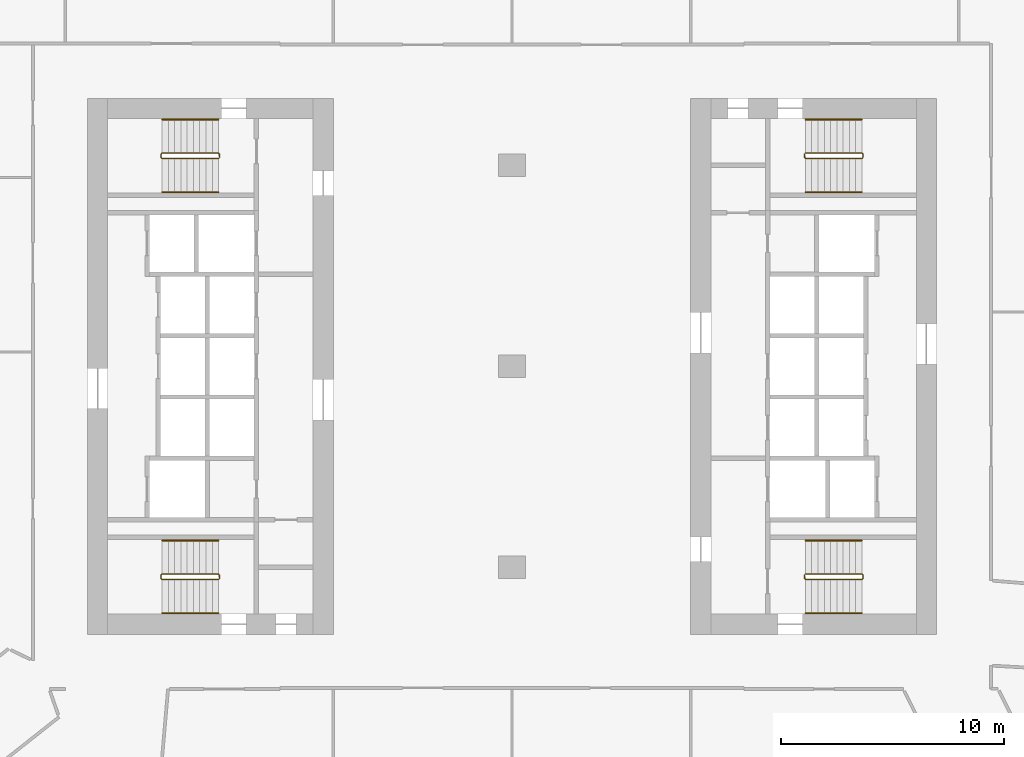
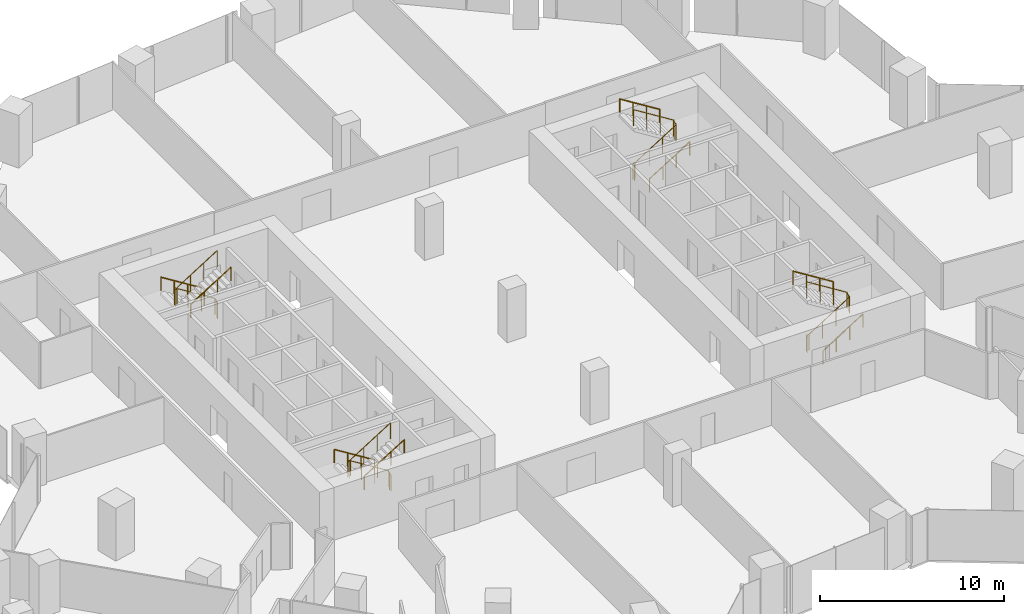
# One storey, part 34 of 34: 12 railings.
"""IFC4 building model written with IfcOpenShell, lengths in metres."""

import ifcopenshell
import ifcopenshell.guid

model = None  # the IFC model being written
_history = None  # IfcOwnerHistory: only IFC2X3 demands one
_inside = {}  # id of a spatial element -> (the spatial element, [elements in it])
_under = {}  # id of a project, library or spatial element -> (it, [spatial elements below it])
_declared = {}  # id of a project -> (the project, [libraries it declares])
_typed = {}  # id of a type object -> (the type object, [elements of that type])
_made_of = {}  # id of a material, layer set ... -> (it, [elements and type objects made of it])


def new_model(schema):
    """Start an empty IFC model of exactly this schema.

    Asked for "IFC4X3", IfcOpenShell would pick the latest addendum, in which some entities
    have other attributes; the version numbers below select the first issue.
    IFC2X3 requires an IfcOwnerHistory on every rooted entity: one is made here for all.
    """
    global model, _history
    if schema == "IFC4X3":
        model = ifcopenshell.file(schema_version=(4, 3, 0, 0))
    else:
        model = ifcopenshell.file(schema=schema)
    _inside.clear()
    _under.clear()
    _declared.clear()
    _typed.clear()
    _made_of.clear()
    _history = None
    if model.schema == "IFC2X3":
        org = make("IfcOrganization", Name="unknown")
        user = make(
            "IfcPersonAndOrganization",
            ThePerson=make("IfcPerson", FamilyName="unknown"),
            TheOrganization=org,
        )
        app = make(
            "IfcApplication",
            ApplicationDeveloper=org,
            Version="unknown",
            ApplicationFullName="unknown",
            ApplicationIdentifier="unknown",
        )
        _history = make(
            "IfcOwnerHistory",
            OwningUser=user,
            OwningApplication=app,
            ChangeAction="ADDED",
            CreationDate=0,
        )
    return model


def make(cls, **values):
    """One entity of the class cls with the attributes given. An attribute that is None is left unset."""
    return model.create_entity(
        cls, **{name: value for name, value in values.items() if value is not None}
    )


def rooted(cls, **values):
    """An entity with a GlobalId (a new one), such as an element, a storey or a relation."""
    return make(cls, GlobalId=ifcopenshell.guid.new(), OwnerHistory=_history, **values)


def si_unit(unit_type, name, prefix=None):
    """IfcSIUnit, for example si_unit("LENGTHUNIT", "METRE", prefix="MILLI")."""
    return make("IfcSIUnit", UnitType=unit_type, Prefix=prefix, Name=name)


def assignment(units):
    """IfcUnitAssignment: the units of a project."""
    return None if units is None else make("IfcUnitAssignment", Units=units)


def point(xyz):
    """IfcCartesianPoint."""
    return None if xyz is None else make("IfcCartesianPoint", Coordinates=xyz)


def direction(xyz):
    """IfcDirection."""
    return None if xyz is None else make("IfcDirection", DirectionRatios=xyz)


def frame(location, z_axis=None, x_axis=None):
    """IfcAxis2Placement3D, a coordinate frame: its origin and axes. An axis left out is left unset."""
    return make(
        "IfcAxis2Placement3D",
        Location=point(location),
        Axis=direction(z_axis),
        RefDirection=direction(x_axis),
    )


def frame_2d(location, x_axis=None):
    """IfcAxis2Placement2D, a coordinate frame in the plane: its origin and x axis."""
    return make(
        "IfcAxis2Placement2D", Location=point(location), RefDirection=direction(x_axis)
    )


def origin():
    """The frame at (0, 0, 0) with its axes left unset."""
    return frame((0.0, 0.0, 0.0))


def origin_2d():
    """The frame at (0, 0) in the plane with its x axis left unset."""
    return frame_2d((0.0, 0.0))


def place(relative_to, where):
    """IfcLocalPlacement: puts the frame where relative to a parent placement (None: the world)."""
    return make(
        "IfcLocalPlacement", PlacementRelTo=relative_to, RelativePlacement=where
    )


def context(
    kind, dimensions, precision=None, world=None, true_north=None, identifier=None
):
    """IfcGeometricRepresentationContext, for example the 3D "Model" context."""
    return make(
        "IfcGeometricRepresentationContext",
        ContextIdentifier=identifier,
        ContextType=kind,
        CoordinateSpaceDimension=dimensions,
        Precision=precision,
        WorldCoordinateSystem=world,
        TrueNorth=true_north,
    )


def subcontext(parent, identifier, kind, view, scale=None):
    """IfcGeometricRepresentationSubContext, for example "Body" below "Model"."""
    return make(
        "IfcGeometricRepresentationSubContext",
        ContextIdentifier=identifier,
        ContextType=kind,
        ParentContext=parent,
        TargetScale=scale,
        TargetView=view,
    )


def project(units=None, contexts=None):
    """IfcProject with its units and contexts."""
    return rooted(
        "IfcProject",
        Name="project",
        RepresentationContexts=contexts,
        UnitsInContext=assignment(units),
    )


def spatial(cls, under=None, at=None, **own):
    """A site, building, storey or space (cls), placed at a placement, below another one or the project."""
    s = rooted(cls, ObjectPlacement=at, **own)
    if under is not None:
        _under.setdefault(under.id(), (under, []))[1].append(s)
    return s


def profile(cls, at=None, kind="AREA", **sizes):
    """A parametric profile (cls). Its sizes go by their IFC names, for example OverallWidth=200.0."""
    return make(cls, ProfileType=kind, Position=at, **sizes)


def circle(**sizes):
    """IfcCircleProfileDef."""
    return profile("IfcCircleProfileDef", **sizes)


def extrude(swept, where, along, depth):
    """IfcExtrudedAreaSolid: the profile swept, set in the frame where, extruded along a direction by depth."""
    return make(
        "IfcExtrudedAreaSolid",
        SweptArea=swept,
        Position=where,
        ExtrudedDirection=direction(along),
        Depth=depth,
    )


def shape(context_of_items, identifier, shape_type, items):
    """IfcShapeRepresentation: the items that make up one representation, for example the "Body"."""
    return make(
        "IfcShapeRepresentation",
        ContextOfItems=context_of_items,
        RepresentationIdentifier=identifier,
        RepresentationType=shape_type,
        Items=items,
    )


def material(Name=None, Category=None):
    """IfcMaterial."""
    return make("IfcMaterial", Name=Name, Category=Category)


def made_of(thing, what):
    """Note that an element or type object is made of a material, layer set ...; save() writes the relation."""
    if what is not None:
        _made_of.setdefault(what.id(), (what, []))[1].append(thing)
    return thing


def type_object(cls, material=None, **own):
    """A type object (cls), such as IfcWallType, which elements share."""
    return made_of(rooted(cls, **own), material)


def element(
    cls,
    number,
    at=None,
    inside=None,
    cuts=None,
    type_object=None,
    material=None,
    context=None,
    identifier="Body",
    shape_type=None,
    held_by="IfcProductDefinitionShape",
    body=None,
    shapes=None,
    **own,
):
    """One element of the class cls, such as IfcWall. Its Tag is "e" and its number.

    at: its placement. inside: the storey or other place that contains it. cuts: it is an
    opening in that element (IfcRelVoidsElement). A single representation is given by context,
    identifier, shape_type and body (its items); several are given by shapes. held_by: the class
    of the entity that holds the representations. save() writes the other relations.
    """
    e = rooted(cls, Tag="e%d" % number, ObjectPlacement=at, **own)
    if body is not None:
        shapes = [shape(context, identifier, shape_type, body)]
    if shapes is not None:
        e.Representation = make(held_by, Representations=shapes)
    if inside is not None:
        _inside.setdefault(inside.id(), (inside, []))[1].append(e)
    if cuts is not None:
        rooted(
            "IfcRelVoidsElement", RelatingBuildingElement=cuts, RelatedOpeningElement=e
        )
    if type_object is not None:
        _typed.setdefault(type_object.id(), (type_object, []))[1].append(e)
    return made_of(e, material)


def aggregate(whole, parts):
    """IfcRelAggregates: a whole, such as a stair, and the parts it consists of."""
    return rooted("IfcRelAggregates", RelatingObject=whole, RelatedObjects=parts)


def save(model, path):
    """Write the relations noted so far, then the file.

    IfcRelAggregates (storeys below a building ...), IfcRelContainedInSpatialStructure (elements
    in a storey), IfcRelDefinesByType, IfcRelAssociatesMaterial and IfcRelDeclares: one each for
    every whole, place, type object, material and project.
    """
    for whole, parts in _under.values():
        aggregate(whole, parts)
    for where, things in _inside.values():
        rooted(
            "IfcRelContainedInSpatialStructure",
            RelatedElements=things,
            RelatingStructure=where,
        )
    for kind, things in _typed.values():
        rooted("IfcRelDefinesByType", RelatedObjects=things, RelatingType=kind)
    for what, things in _made_of.values():
        rooted("IfcRelAssociatesMaterial", RelatedObjects=things, RelatingMaterial=what)
    for by, libraries in _declared.values():
        rooted("IfcRelDeclares", RelatingContext=by, RelatedDefinitions=libraries)
    model.write(path)


model = new_model("IFC4")

# Units and contexts
model_context = context("Model", 3, precision=1e-05, world=origin(), true_north=direction((0.0, 1.0)))
body_context = subcontext(model_context, "Body", "Model", "MODEL_VIEW")
ifc_project = project(units=[si_unit("LENGTHUNIT", "METRE"), si_unit("AREAUNIT", "SQUARE_METRE"), si_unit("VOLUMEUNIT", "CUBIC_METRE"), si_unit("PLANEANGLEUNIT", "RADIAN"), si_unit("MASSUNIT", "GRAM", prefix="KILO")], contexts=[model_context])

# Site, building, storey
site_placement = place(None, origin())
site = spatial("IfcSite", under=ifc_project, at=site_placement, CompositionType="ELEMENT")
building_placement = place(site_placement, origin())
building = spatial("IfcBuilding", under=site, at=building_placement, Name="Orlundy Tower", CompositionType="ELEMENT")
storey_placement = place(building_placement, frame((0.0, 0.0, 40.800048828125)))
storey = spatial("IfcBuildingStorey", under=building, at=storey_placement, Name="L08", CompositionType="ELEMENT", Elevation=40.800048828125)

# Railings
ifc_material_1 = material(Name="Steel balustrade", Category="steel")
railing_type_1 = type_object("IfcRailingType", Name="Stair Guard 1100", PredefinedType="GUARDRAIL", material=ifc_material_1)
railing_1_placement = place(storey_placement, frame((-13.090087890625, 9.5, 0.0)))
element("IfcRailing", 1, at=railing_1_placement, inside=storey, type_object=railing_type_1, Name="L08 ST-W1 stair guard 1", PredefinedType="GUARDRAIL", context=body_context, shape_type="SweptSolid", body=[
    extrude(circle(Radius=0.02392578125, at=origin_2d()), frame((0.0, 0.0, 1.076171875), z_axis=(0.0, -1.0, 0.0), x_axis=(1.0, 0.0, 0.0)), (0.0, 0.0, 1.0), 0.14990234375),
    extrude(circle(Radius=0.02392578125, at=origin_2d()), frame((0.0, -0.14990234375, 1.076171875), z_axis=(-0.18420542264, 0.739530593833, 0.647427882513), x_axis=(-0.970351222016, -0.241699205484, 0.0)), (0.0, 0.0, 1.0), 0.270263671875),
    extrude(circle(Radius=0.02392578125, at=origin_2d()), frame((-0.0498046875, 0.050048828125, 1.2509765625), z_axis=(-0.848007534815, 0.0, 0.529984170421), x_axis=(0.0, -1.0, 0.0)), (0.0, 0.0, 1.0), 2.9716796875),
    extrude(circle(Radius=0.02392578125, at=origin_2d()), frame((-2.56982421875, 0.050048828125, 2.826171875), z_axis=(-0.707106781187, -0.707106781187, 0.0), x_axis=(0.707106781187, -0.707106781187, 0.0)), (0.0, 0.0, 1.0), 0.07080078125),
    extrude(circle(Radius=0.02392578125, at=origin_2d()), frame((-2.619873046875, 0.0, 2.826171875), z_axis=(0.0, -1.0, 0.0), x_axis=(1.0, 0.0, 0.0)), (0.0, 0.0, 1.0), 0.14990234375),
    extrude(circle(Radius=0.02392578125, at=origin_2d()), frame((-2.619873046875, -0.14990234375, 2.826171875), z_axis=(0.265065253269, -0.265065253269, 0.927081885822), x_axis=(0.707106781187, 0.707106781187, 0.0)), (0.0, 0.0, 1.0), 0.188720703125),
    extrude(circle(Radius=0.02392578125, at=origin_2d()), frame((-2.56982421875, -0.199951171875, 3.0009765625), z_axis=(0.848007534815, 0.0, 0.529984170421), x_axis=(0.0, 1.0, 0.0)), (0.0, 0.0, 1.0), 2.9716796875),
    extrude(circle(Radius=0.02099609375, at=origin_2d()), origin(), (0.0, 0.0, 1.0), 1.052001953125),
    extrude(circle(Radius=0.02099609375, at=origin_2d()), frame((0.0, -0.14990234375, 0.0)), (0.0, 0.0, 1.0), 1.052001953125),
    extrude(circle(Radius=0.02099609375, at=origin_2d()), frame((-0.0498046875, 0.050048828125, 0.175048828125)), (0.0, 0.0, 1.0), 1.052001953125),
    extrude(circle(Radius=0.02099609375, at=origin_2d()), frame((-0.889892578125, 0.050048828125, 0.699951171875)), (0.0, 0.0, 1.0), 1.052001953125),
    extrude(circle(Radius=0.02099609375, at=origin_2d()), frame((-1.729736328125, 0.050048828125, 1.22509765625)), (0.0, 0.0, 1.0), 1.052001953125),
    extrude(circle(Radius=0.02099609375, at=origin_2d()), frame((-2.56982421875, 0.050048828125, 1.75)), (0.0, 0.0, 1.0), 1.052001953125),
    extrude(circle(Radius=0.02099609375, at=origin_2d()), frame((-2.619873046875, 0.0, 1.75)), (0.0, 0.0, 1.0), 1.052001953125),
    extrude(circle(Radius=0.02099609375, at=origin_2d()), frame((-2.619873046875, -0.14990234375, 1.75)), (0.0, 0.0, 1.0), 1.052001953125),
    extrude(circle(Radius=0.02099609375, at=origin_2d()), frame((-2.56982421875, -0.199951171875, 1.925048828125)), (0.0, 0.0, 1.0), 1.052001953125),
    extrude(circle(Radius=0.02099609375, at=origin_2d()), frame((-1.729736328125, -0.199951171875, 2.449951171875)), (0.0, 0.0, 1.0), 1.052001953125),
    extrude(circle(Radius=0.02099609375, at=origin_2d()), frame((-0.889892578125, -0.199951171875, 2.97509765625)), (0.0, 0.0, 1.0), 1.052001953125),
    extrude(circle(Radius=0.02099609375, at=origin_2d()), frame((-0.0498046875, -0.199951171875, 3.5)), (0.0, 0.0, 1.0), 1.052001953125),
])
railing_2_placement = place(storey_placement, frame((-13.090087890625, -9.35009765625, 0.0)))
element("IfcRailing", 2, at=railing_2_placement, inside=storey, type_object=railing_type_1, Name="L08 ST-W2 stair guard 1", PredefinedType="GUARDRAIL", context=body_context, shape_type="SweptSolid", body=[
    extrude(circle(Radius=0.02392578125, at=origin_2d()), frame((0.0, 0.0, 1.076171875), z_axis=(0.0, -1.0, 0.0), x_axis=(1.0, 0.0, 0.0)), (0.0, 0.0, 1.0), 0.14990234375),
    extrude(circle(Radius=0.02392578125, at=origin_2d()), frame((0.0, -0.14990234375, 1.076171875), z_axis=(-0.18420542264, 0.739530593833, 0.647427882513), x_axis=(-0.970351222016, -0.241699205484, 0.0)), (0.0, 0.0, 1.0), 0.270263671875),
    extrude(circle(Radius=0.02392578125, at=origin_2d()), frame((-0.0498046875, 0.050048828125, 1.2509765625), z_axis=(-0.848007534815, 0.0, 0.529984170421), x_axis=(0.0, -1.0, 0.0)), (0.0, 0.0, 1.0), 2.9716796875),
    extrude(circle(Radius=0.02392578125, at=origin_2d()), frame((-2.56982421875, 0.050048828125, 2.826171875), z_axis=(-0.707106781187, -0.707106781187, 0.0), x_axis=(0.707106781187, -0.707106781187, 0.0)), (0.0, 0.0, 1.0), 0.07080078125),
    extrude(circle(Radius=0.02392578125, at=origin_2d()), frame((-2.619873046875, 0.0, 2.826171875), z_axis=(0.0, -1.0, 0.0), x_axis=(1.0, 0.0, 0.0)), (0.0, 0.0, 1.0), 0.14990234375),
    extrude(circle(Radius=0.02392578125, at=origin_2d()), frame((-2.619873046875, -0.14990234375, 2.826171875), z_axis=(0.265065253269, -0.265065253269, 0.927081885822), x_axis=(0.707106781187, 0.707106781187, 0.0)), (0.0, 0.0, 1.0), 0.188720703125),
    extrude(circle(Radius=0.02392578125, at=origin_2d()), frame((-2.56982421875, -0.199951171875, 3.0009765625), z_axis=(0.848007534815, 0.0, 0.529984170421), x_axis=(0.0, 1.0, 0.0)), (0.0, 0.0, 1.0), 2.9716796875),
    extrude(circle(Radius=0.02099609375, at=origin_2d()), origin(), (0.0, 0.0, 1.0), 1.052001953125),
    extrude(circle(Radius=0.02099609375, at=origin_2d()), frame((0.0, -0.14990234375, 0.0)), (0.0, 0.0, 1.0), 1.052001953125),
    extrude(circle(Radius=0.02099609375, at=origin_2d()), frame((-0.0498046875, 0.050048828125, 0.175048828125)), (0.0, 0.0, 1.0), 1.052001953125),
    extrude(circle(Radius=0.02099609375, at=origin_2d()), frame((-0.889892578125, 0.050048828125, 0.699951171875)), (0.0, 0.0, 1.0), 1.052001953125),
    extrude(circle(Radius=0.02099609375, at=origin_2d()), frame((-1.729736328125, 0.050048828125, 1.22509765625)), (0.0, 0.0, 1.0), 1.052001953125),
    extrude(circle(Radius=0.02099609375, at=origin_2d()), frame((-2.56982421875, 0.050048828125, 1.75)), (0.0, 0.0, 1.0), 1.052001953125),
    extrude(circle(Radius=0.02099609375, at=origin_2d()), frame((-2.619873046875, 0.0, 1.75)), (0.0, 0.0, 1.0), 1.052001953125),
    extrude(circle(Radius=0.02099609375, at=origin_2d()), frame((-2.619873046875, -0.14990234375, 1.75)), (0.0, 0.0, 1.0), 1.052001953125),
    extrude(circle(Radius=0.02099609375, at=origin_2d()), frame((-2.56982421875, -0.199951171875, 1.925048828125)), (0.0, 0.0, 1.0), 1.052001953125),
    extrude(circle(Radius=0.02099609375, at=origin_2d()), frame((-1.729736328125, -0.199951171875, 2.449951171875)), (0.0, 0.0, 1.0), 1.052001953125),
    extrude(circle(Radius=0.02099609375, at=origin_2d()), frame((-0.889892578125, -0.199951171875, 2.97509765625)), (0.0, 0.0, 1.0), 1.052001953125),
    extrude(circle(Radius=0.02099609375, at=origin_2d()), frame((-0.0498046875, -0.199951171875, 3.5)), (0.0, 0.0, 1.0), 1.052001953125),
])
railing_3_placement = place(storey_placement, frame((13.090087890625, -9.5, 0.0)))
element("IfcRailing", 3, at=railing_3_placement, inside=storey, type_object=railing_type_1, Name="L08 ST-E1 stair guard 1", PredefinedType="GUARDRAIL", context=body_context, shape_type="SweptSolid", body=[
    extrude(circle(Radius=0.02392578125, at=origin_2d()), frame((0.0, 0.0, 1.076171875), z_axis=(0.0, 1.0, 0.0), x_axis=(-1.0, 0.0, 0.0)), (0.0, 0.0, 1.0), 0.14990234375),
    extrude(circle(Radius=0.02392578125, at=origin_2d()), frame((0.0, 0.14990234375, 1.076171875), z_axis=(0.18420542264, -0.739530593833, 0.647427882513), x_axis=(0.970351222016, 0.241699205484, 0.0)), (0.0, 0.0, 1.0), 0.270263671875),
    extrude(circle(Radius=0.02392578125, at=origin_2d()), frame((0.0498046875, -0.050048828125, 1.2509765625), z_axis=(0.848007534815, 0.0, 0.529984170421), x_axis=(0.0, 1.0, 0.0)), (0.0, 0.0, 1.0), 2.9716796875),
    extrude(circle(Radius=0.02392578125, at=origin_2d()), frame((2.56982421875, -0.050048828125, 2.826171875), z_axis=(0.707106781187, 0.707106781187, 0.0), x_axis=(-0.707106781187, 0.707106781187, 0.0)), (0.0, 0.0, 1.0), 0.07080078125),
    extrude(circle(Radius=0.02392578125, at=origin_2d()), frame((2.619873046875, 0.0, 2.826171875), z_axis=(0.0, 1.0, 0.0), x_axis=(-1.0, 0.0, 0.0)), (0.0, 0.0, 1.0), 0.14990234375),
    extrude(circle(Radius=0.02392578125, at=origin_2d()), frame((2.619873046875, 0.14990234375, 2.826171875), z_axis=(-0.265065253269, 0.265065253269, 0.927081885822), x_axis=(-0.707106781187, -0.707106781187, 0.0)), (0.0, 0.0, 1.0), 0.188720703125),
    extrude(circle(Radius=0.02392578125, at=origin_2d()), frame((2.56982421875, 0.199951171875, 3.0009765625), z_axis=(-0.848007534815, 0.0, 0.529984170421), x_axis=(0.0, -1.0, 0.0)), (0.0, 0.0, 1.0), 2.9716796875),
    extrude(circle(Radius=0.02099609375, at=origin_2d()), origin(), (0.0, 0.0, 1.0), 1.052001953125),
    extrude(circle(Radius=0.02099609375, at=origin_2d()), frame((0.0, 0.14990234375, 0.0)), (0.0, 0.0, 1.0), 1.052001953125),
    extrude(circle(Radius=0.02099609375, at=origin_2d()), frame((0.0498046875, -0.050048828125, 0.175048828125)), (0.0, 0.0, 1.0), 1.052001953125),
    extrude(circle(Radius=0.02099609375, at=origin_2d()), frame((0.889892578125, -0.050048828125, 0.699951171875)), (0.0, 0.0, 1.0), 1.052001953125),
    extrude(circle(Radius=0.02099609375, at=origin_2d()), frame((1.729736328125, -0.050048828125, 1.22509765625)), (0.0, 0.0, 1.0), 1.052001953125),
    extrude(circle(Radius=0.02099609375, at=origin_2d()), frame((2.56982421875, -0.050048828125, 1.75)), (0.0, 0.0, 1.0), 1.052001953125),
    extrude(circle(Radius=0.02099609375, at=origin_2d()), frame((2.619873046875, 0.0, 1.75)), (0.0, 0.0, 1.0), 1.052001953125),
    extrude(circle(Radius=0.02099609375, at=origin_2d()), frame((2.619873046875, 0.14990234375, 1.75)), (0.0, 0.0, 1.0), 1.052001953125),
    extrude(circle(Radius=0.02099609375, at=origin_2d()), frame((2.56982421875, 0.199951171875, 1.925048828125)), (0.0, 0.0, 1.0), 1.052001953125),
    extrude(circle(Radius=0.02099609375, at=origin_2d()), frame((1.729736328125, 0.199951171875, 2.449951171875)), (0.0, 0.0, 1.0), 1.052001953125),
    extrude(circle(Radius=0.02099609375, at=origin_2d()), frame((0.889892578125, 0.199951171875, 2.97509765625)), (0.0, 0.0, 1.0), 1.052001953125),
    extrude(circle(Radius=0.02099609375, at=origin_2d()), frame((0.0498046875, 0.199951171875, 3.5)), (0.0, 0.0, 1.0), 1.052001953125),
])
railing_4_placement = place(storey_placement, frame((13.090087890625, 9.35009765625, 0.0)))
element("IfcRailing", 4, at=railing_4_placement, inside=storey, type_object=railing_type_1, Name="L08 ST-E2 stair guard 1", PredefinedType="GUARDRAIL", context=body_context, shape_type="SweptSolid", body=[
    extrude(circle(Radius=0.02392578125, at=origin_2d()), frame((0.0, 0.0, 1.076171875), z_axis=(0.0, 1.0, 0.0), x_axis=(-1.0, 0.0, 0.0)), (0.0, 0.0, 1.0), 0.14990234375),
    extrude(circle(Radius=0.02392578125, at=origin_2d()), frame((0.0, 0.14990234375, 1.076171875), z_axis=(0.18420542264, -0.739530593833, 0.647427882513), x_axis=(0.970351222016, 0.241699205484, 0.0)), (0.0, 0.0, 1.0), 0.270263671875),
    extrude(circle(Radius=0.02392578125, at=origin_2d()), frame((0.0498046875, -0.050048828125, 1.2509765625), z_axis=(0.848007534815, 0.0, 0.529984170421), x_axis=(0.0, 1.0, 0.0)), (0.0, 0.0, 1.0), 2.9716796875),
    extrude(circle(Radius=0.02392578125, at=origin_2d()), frame((2.56982421875, -0.050048828125, 2.826171875), z_axis=(0.707106781187, 0.707106781187, 0.0), x_axis=(-0.707106781187, 0.707106781187, 0.0)), (0.0, 0.0, 1.0), 0.07080078125),
    extrude(circle(Radius=0.02392578125, at=origin_2d()), frame((2.619873046875, 0.0, 2.826171875), z_axis=(0.0, 1.0, 0.0), x_axis=(-1.0, 0.0, 0.0)), (0.0, 0.0, 1.0), 0.14990234375),
    extrude(circle(Radius=0.02392578125, at=origin_2d()), frame((2.619873046875, 0.14990234375, 2.826171875), z_axis=(-0.265065253269, 0.265065253269, 0.927081885822), x_axis=(-0.707106781187, -0.707106781187, 0.0)), (0.0, 0.0, 1.0), 0.188720703125),
    extrude(circle(Radius=0.02392578125, at=origin_2d()), frame((2.56982421875, 0.199951171875, 3.0009765625), z_axis=(-0.848007534815, 0.0, 0.529984170421), x_axis=(0.0, -1.0, 0.0)), (0.0, 0.0, 1.0), 2.9716796875),
    extrude(circle(Radius=0.02099609375, at=origin_2d()), origin(), (0.0, 0.0, 1.0), 1.052001953125),
    extrude(circle(Radius=0.02099609375, at=origin_2d()), frame((0.0, 0.14990234375, 0.0)), (0.0, 0.0, 1.0), 1.052001953125),
    extrude(circle(Radius=0.02099609375, at=origin_2d()), frame((0.0498046875, -0.050048828125, 0.175048828125)), (0.0, 0.0, 1.0), 1.052001953125),
    extrude(circle(Radius=0.02099609375, at=origin_2d()), frame((0.889892578125, -0.050048828125, 0.699951171875)), (0.0, 0.0, 1.0), 1.052001953125),
    extrude(circle(Radius=0.02099609375, at=origin_2d()), frame((1.729736328125, -0.050048828125, 1.22509765625)), (0.0, 0.0, 1.0), 1.052001953125),
    extrude(circle(Radius=0.02099609375, at=origin_2d()), frame((2.56982421875, -0.050048828125, 1.75)), (0.0, 0.0, 1.0), 1.052001953125),
    extrude(circle(Radius=0.02099609375, at=origin_2d()), frame((2.619873046875, 0.0, 1.75)), (0.0, 0.0, 1.0), 1.052001953125),
    extrude(circle(Radius=0.02099609375, at=origin_2d()), frame((2.619873046875, 0.14990234375, 1.75)), (0.0, 0.0, 1.0), 1.052001953125),
    extrude(circle(Radius=0.02099609375, at=origin_2d()), frame((2.56982421875, 0.199951171875, 1.925048828125)), (0.0, 0.0, 1.0), 1.052001953125),
    extrude(circle(Radius=0.02099609375, at=origin_2d()), frame((1.729736328125, 0.199951171875, 2.449951171875)), (0.0, 0.0, 1.0), 1.052001953125),
    extrude(circle(Radius=0.02099609375, at=origin_2d()), frame((0.889892578125, 0.199951171875, 2.97509765625)), (0.0, 0.0, 1.0), 1.052001953125),
    extrude(circle(Radius=0.02099609375, at=origin_2d()), frame((0.0498046875, 0.199951171875, 3.5)), (0.0, 0.0, 1.0), 1.052001953125),
])
ifc_material_2 = material(Name="Steel handrail", Category="steel")
railing_type_2 = type_object("IfcRailingType", Name="Stair Handrail 900", PredefinedType="HANDRAIL", material=ifc_material_2)
railing_5_placement = place(storey_placement, frame((-13.139892578125, 11.050048828125, 0.175048828125)))
element("IfcRailing", 5, at=railing_5_placement, inside=storey, type_object=railing_type_2, Name="L08 ST-W1 stair handrail 1", PredefinedType="HANDRAIL", context=body_context, shape_type="SweptSolid", body=[
    extrude(circle(Radius=0.02392578125, at=origin_2d()), frame((0.0, 0.0, 0.8759765625), z_axis=(-0.848007534815, 0.0, 0.529984170421), x_axis=(0.0, -1.0, 0.0)), (0.0, 0.0, 1.0), 2.9716796875),
    extrude(circle(Radius=0.02099609375, at=origin_2d()), origin(), (0.0, 0.0, 1.0), 0.851806640625),
    extrude(circle(Radius=0.02099609375, at=origin_2d()), frame((-0.840087890625, 0.0, 0.52490234375)), (0.0, 0.0, 1.0), 0.851806640625),
    extrude(circle(Radius=0.02099609375, at=origin_2d()), frame((-1.679931640625, 0.0, 1.050048828125)), (0.0, 0.0, 1.0), 0.851806640625),
    extrude(circle(Radius=0.02099609375, at=origin_2d()), frame((-2.52001953125, 0.0, 1.574951171875)), (0.0, 0.0, 1.0), 0.851806640625),
])
railing_6_placement = place(storey_placement, frame((-15.659912109375, 7.800048828125, 1.925048828125)))
element("IfcRailing", 6, at=railing_6_placement, inside=storey, type_object=railing_type_2, Name="L08 ST-W1 stair handrail 2", PredefinedType="HANDRAIL", context=body_context, shape_type="SweptSolid", body=[
    extrude(circle(Radius=0.02392578125, at=origin_2d()), frame((0.0, 0.0, 0.8759765625), z_axis=(0.848007534815, 0.0, 0.529984170421), x_axis=(0.0, 1.0, 0.0)), (0.0, 0.0, 1.0), 2.9716796875),
    extrude(circle(Radius=0.02099609375, at=origin_2d()), origin(), (0.0, 0.0, 1.0), 0.851806640625),
    extrude(circle(Radius=0.02099609375, at=origin_2d()), frame((0.840087890625, 0.0, 0.52490234375)), (0.0, 0.0, 1.0), 0.851806640625),
    extrude(circle(Radius=0.02099609375, at=origin_2d()), frame((1.679931640625, 0.0, 1.050048828125)), (0.0, 0.0, 1.0), 0.851806640625),
    extrude(circle(Radius=0.02099609375, at=origin_2d()), frame((2.52001953125, 0.0, 1.574951171875)), (0.0, 0.0, 1.0), 0.851806640625),
])
railing_7_placement = place(storey_placement, frame((-13.139892578125, -7.800048828125, 0.175048828125)))
element("IfcRailing", 7, at=railing_7_placement, inside=storey, type_object=railing_type_2, Name="L08 ST-W2 stair handrail 1", PredefinedType="HANDRAIL", context=body_context, shape_type="SweptSolid", body=[
    extrude(circle(Radius=0.02392578125, at=origin_2d()), frame((0.0, 0.0, 0.8759765625), z_axis=(-0.848007534815, 0.0, 0.529984170421), x_axis=(0.0, -1.0, 0.0)), (0.0, 0.0, 1.0), 2.9716796875),
    extrude(circle(Radius=0.02099609375, at=origin_2d()), origin(), (0.0, 0.0, 1.0), 0.851806640625),
    extrude(circle(Radius=0.02099609375, at=origin_2d()), frame((-0.840087890625, 0.0, 0.52490234375)), (0.0, 0.0, 1.0), 0.851806640625),
    extrude(circle(Radius=0.02099609375, at=origin_2d()), frame((-1.679931640625, 0.0, 1.050048828125)), (0.0, 0.0, 1.0), 0.851806640625),
    extrude(circle(Radius=0.02099609375, at=origin_2d()), frame((-2.52001953125, 0.0, 1.574951171875)), (0.0, 0.0, 1.0), 0.851806640625),
])
for number, where, name in (
    (8, (-15.659912109375, -11.050048828125, 1.925048828125), "L08 ST-W2 stair handrail 2"),
    (9, (13.139892578125, -11.050048828125, 0.175048828125), "L08 ST-E1 stair handrail 1"),
):
    element("IfcRailing", number, at=place(storey_placement, frame(where)), inside=storey, type_object=railing_type_2, Name=name, PredefinedType="HANDRAIL", context=body_context, shape_type="SweptSolid", body=[
        extrude(circle(Radius=0.02392578125, at=origin_2d()), frame((0.0, 0.0, 0.8759765625), z_axis=(0.848007534815, 0.0, 0.529984170421), x_axis=(0.0, 1.0, 0.0)), (0.0, 0.0, 1.0), 2.9716796875),
        extrude(circle(Radius=0.02099609375, at=origin_2d()), origin(), (0.0, 0.0, 1.0), 0.851806640625),
        extrude(circle(Radius=0.02099609375, at=origin_2d()), frame((0.840087890625, 0.0, 0.52490234375)), (0.0, 0.0, 1.0), 0.851806640625),
        extrude(circle(Radius=0.02099609375, at=origin_2d()), frame((1.679931640625, 0.0, 1.050048828125)), (0.0, 0.0, 1.0), 0.851806640625),
        extrude(circle(Radius=0.02099609375, at=origin_2d()), frame((2.52001953125, 0.0, 1.574951171875)), (0.0, 0.0, 1.0), 0.851806640625),
    ])
railing_8_placement = place(storey_placement, frame((15.659912109375, -7.800048828125, 1.925048828125)))
element("IfcRailing", 10, at=railing_8_placement, inside=storey, type_object=railing_type_2, Name="L08 ST-E1 stair handrail 2", PredefinedType="HANDRAIL", context=body_context, shape_type="SweptSolid", body=[
    extrude(circle(Radius=0.02392578125, at=origin_2d()), frame((0.0, 0.0, 0.8759765625), z_axis=(-0.848007534815, 0.0, 0.529984170421), x_axis=(0.0, -1.0, 0.0)), (0.0, 0.0, 1.0), 2.9716796875),
    extrude(circle(Radius=0.02099609375, at=origin_2d()), origin(), (0.0, 0.0, 1.0), 0.851806640625),
    extrude(circle(Radius=0.02099609375, at=origin_2d()), frame((-0.840087890625, 0.0, 0.52490234375)), (0.0, 0.0, 1.0), 0.851806640625),
    extrude(circle(Radius=0.02099609375, at=origin_2d()), frame((-1.679931640625, 0.0, 1.050048828125)), (0.0, 0.0, 1.0), 0.851806640625),
    extrude(circle(Radius=0.02099609375, at=origin_2d()), frame((-2.52001953125, 0.0, 1.574951171875)), (0.0, 0.0, 1.0), 0.851806640625),
])
railing_9_placement = place(storey_placement, frame((13.139892578125, 7.800048828125, 0.175048828125)))
element("IfcRailing", 11, at=railing_9_placement, inside=storey, type_object=railing_type_2, Name="L08 ST-E2 stair handrail 1", PredefinedType="HANDRAIL", context=body_context, shape_type="SweptSolid", body=[
    extrude(circle(Radius=0.02392578125, at=origin_2d()), frame((0.0, 0.0, 0.8759765625), z_axis=(0.848007534815, 0.0, 0.529984170421), x_axis=(0.0, 1.0, 0.0)), (0.0, 0.0, 1.0), 2.9716796875),
    extrude(circle(Radius=0.02099609375, at=origin_2d()), origin(), (0.0, 0.0, 1.0), 0.851806640625),
    extrude(circle(Radius=0.02099609375, at=origin_2d()), frame((0.840087890625, 0.0, 0.52490234375)), (0.0, 0.0, 1.0), 0.851806640625),
    extrude(circle(Radius=0.02099609375, at=origin_2d()), frame((1.679931640625, 0.0, 1.050048828125)), (0.0, 0.0, 1.0), 0.851806640625),
    extrude(circle(Radius=0.02099609375, at=origin_2d()), frame((2.52001953125, 0.0, 1.574951171875)), (0.0, 0.0, 1.0), 0.851806640625),
])
railing_10_placement = place(storey_placement, frame((15.659912109375, 11.050048828125, 1.925048828125)))
element("IfcRailing", 12, at=railing_10_placement, inside=storey, type_object=railing_type_2, Name="L08 ST-E2 stair handrail 2", PredefinedType="HANDRAIL", context=body_context, shape_type="SweptSolid", body=[
    extrude(circle(Radius=0.02392578125, at=origin_2d()), frame((0.0, 0.0, 0.8759765625), z_axis=(-0.848007534815, 0.0, 0.529984170421), x_axis=(0.0, -1.0, 0.0)), (0.0, 0.0, 1.0), 2.9716796875),
    extrude(circle(Radius=0.02099609375, at=origin_2d()), origin(), (0.0, 0.0, 1.0), 0.851806640625),
    extrude(circle(Radius=0.02099609375, at=origin_2d()), frame((-0.840087890625, 0.0, 0.52490234375)), (0.0, 0.0, 1.0), 0.851806640625),
    extrude(circle(Radius=0.02099609375, at=origin_2d()), frame((-1.679931640625, 0.0, 1.050048828125)), (0.0, 0.0, 1.0), 0.851806640625),
    extrude(circle(Radius=0.02099609375, at=origin_2d()), frame((-2.52001953125, 0.0, 1.574951171875)), (0.0, 0.0, 1.0), 0.851806640625),
])

save(model, "model.ifc")
